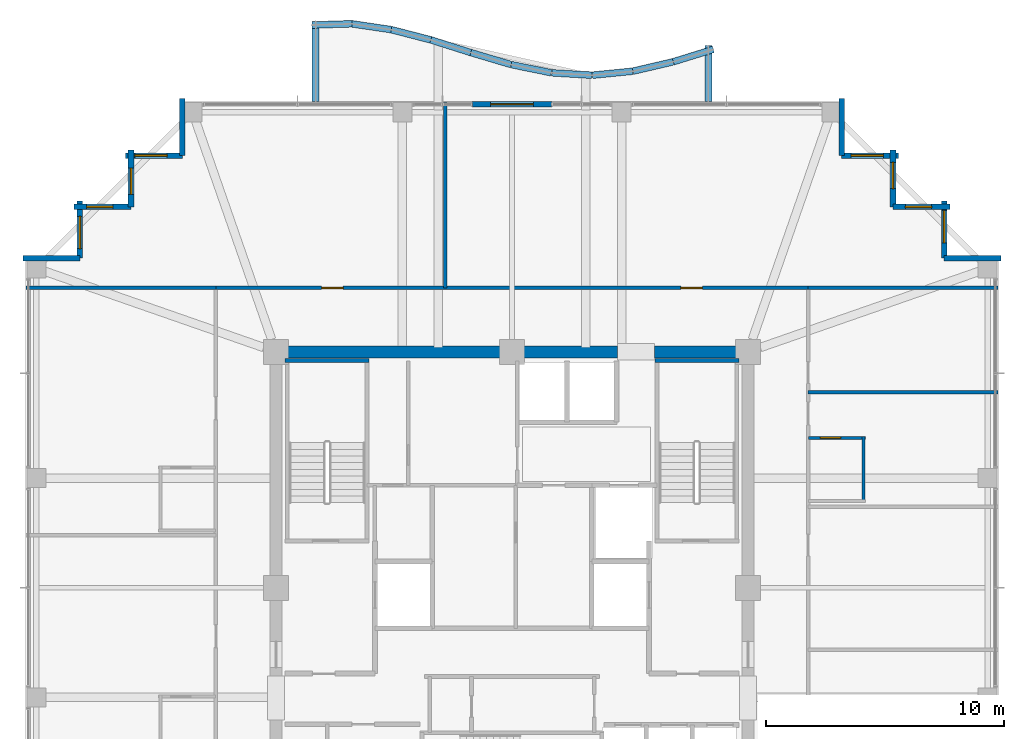
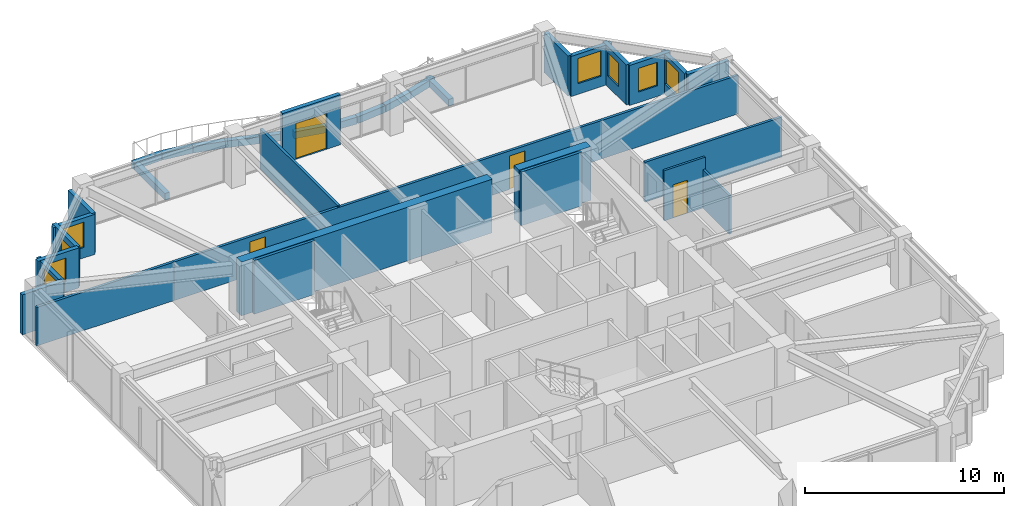
# One storey, part 33 of 36: 36 walls, 8 windows, 4 doors, 12 openings.
"""IFC4 building model written with IfcOpenShell, lengths in metres."""

from ifc_helpers import new_model, si_unit, direction, frame, frame_2d, origin, place, context, subcontext, project, spatial, rectangle, extrude, material, layer, layer_set, type_object, element, fill, save


model = new_model("IFC4")

# Units and contexts
model_context = context("Model", 3, precision=1e-05, world=origin(), true_north=direction((0.0, 1.0)))
body_context = subcontext(model_context, "Body", "Model", "MODEL_VIEW")
ifc_project = project(units=[si_unit("LENGTHUNIT", "METRE"), si_unit("AREAUNIT", "SQUARE_METRE"), si_unit("VOLUMEUNIT", "CUBIC_METRE"), si_unit("PLANEANGLEUNIT", "RADIAN"), si_unit("MASSUNIT", "GRAM", prefix="KILO")], contexts=[model_context])

# Site, building, storey
site_placement = place(None, origin())
site = spatial("IfcSite", under=ifc_project, at=site_placement, CompositionType="ELEMENT")
building_placement = place(site_placement, origin())
building = spatial("IfcBuilding", under=site, at=building_placement, Name="Kolvaren Belvedere", CompositionType="ELEMENT")
storey_placement = place(building_placement, frame((0.0, 0.0, 199.800048828125)))
storey = spatial("IfcBuildingStorey", under=building, at=storey_placement, Name="L58", CompositionType="ELEMENT", Elevation=199.800048828125)

# Walls
ifc_material_1 = material(Name="Concrete C50/60", Category="concrete")
ifc_layer_1 = layer(ifc_material_1, 0.5)
ifc_layer_set_1 = layer_set([ifc_layer_1], Name="Concrete C50/60")
wall_type_1 = type_object("IfcWallType", Name="CW-CORE-500", PredefinedType="SHEAR", material=ifc_layer_set_1)
wall_1_placement = place(storey_placement, frame((-10.14990234375, 9.89990234375, 0.0), z_axis=(0.0, 0.0, 1.0), x_axis=(1.0, 0.0, 0.0)))
element("IfcWall", 1, at=wall_1_placement, inside=storey, type_object=wall_type_1, Name="L58 North Core Shear Wall 1", PredefinedType="SHEAR", context=body_context, shape_type="SweptSolid", body=[
    extrude(rectangle(XDim=14.56982421875, YDim=0.5, at=frame_2d((7.284912109375, 0.0))), origin(), (0.0, 0.0, 1.0), 3.300048828125),
])
wall_2_placement = place(storey_placement, frame((5.97998046875, 9.89990234375, 0.0), z_axis=(0.0, 0.0, 1.0), x_axis=(1.0, 0.0, 0.0)))
element("IfcWall", 2, at=wall_2_placement, inside=storey, type_object=wall_type_1, Name="L58 North Core Shear Wall 2", PredefinedType="SHEAR", context=body_context, shape_type="SweptSolid", body=[
    extrude(rectangle(XDim=4.169921875, YDim=0.5, at=frame_2d((2.0849609375, 0.0))), origin(), (0.0, 0.0, 1.0), 3.300048828125),
])
ifc_material_2 = material(Name="Concrete C50/60", Category="concrete")
ifc_layer_2 = layer(ifc_material_2, 0.159912109375)
ifc_layer_set_2 = layer_set([ifc_layer_2], Name="Concrete C50/60")
wall_type_2 = type_object("IfcWallType", Name="CW-STAIR-160", PredefinedType="SHEAR", material=ifc_layer_set_2)
for number, where, z_axis, x_axis, name in (
    (3, (-9.52001953125, 9.530029296875, 0.0), (0.0, 0.0, 1.0), (1.0, 0.0, 0.0), "L58 Stair ST-1 North Shear Wall"),
    (4, (6.0, 9.530029296875, 0.0), (0.0, 0.0, 1.0), (1.0, 0.0, 0.0), "L58 Stair ST-2 North Shear Wall"),
):
    element("IfcWall", number, at=place(storey_placement, frame(where, z_axis=z_axis, x_axis=x_axis)), inside=storey, type_object=wall_type_2, Name=name, PredefinedType="SHEAR", context=body_context, shape_type="SweptSolid", body=[
        extrude(rectangle(XDim=3.52001953125, YDim=0.159912109375, at=frame_2d((1.760009765625, 0.0))), origin(), (0.0, 0.0, 1.0), 3.300048828125),
    ])

# Wall, openings, doors
ifc_material_3 = material(Name="Gypsum fire-rated partition assembly", Category="gypsum")
ifc_layer_3 = layer(ifc_material_3, 0.14990234375)
ifc_layer_set_3 = layer_set([ifc_layer_3], Name="Gypsum fire-rated partition assembly")
wall_type_3 = type_object("IfcWallType", Name="WL-CORR-150", PredefinedType="PARTITIONING", material=ifc_layer_set_3)
wall_3_placement = place(storey_placement, frame((-12.419921875, 12.580078125, 0.0), z_axis=(0.0, 0.0, 1.0), x_axis=(1.0, 0.0, 0.0)))
wall_3 = element("IfcWall", 5, at=wall_3_placement, inside=storey, type_object=wall_type_3, Name="L58 North Corridor Wall", PredefinedType="PARTITIONING", context=body_context, shape_type="SweptSolid", body=[
    extrude(rectangle(XDim=24.83984375, YDim=0.14990234375, at=frame_2d((12.419921875, 0.0))), origin(), (0.0, 0.0, 1.0), 2.368896484375),
])
opening_1_placement = place(wall_3_placement, frame((4.43505859375, 0.0, 0.0)))
opening_1 = element("IfcOpeningElement", 6, at=opening_1_placement, cuts=wall_3, Name="Opening D-INT90", PredefinedType="OPENING", context=body_context, shape_type="SweptSolid", body=[
    extrude(rectangle(XDim=0.89990234375, YDim=2.06005859375, at=frame_2d((0.449951171875, 1.030029296875))), frame((0.0, 0.0849609375, 0.0), z_axis=(0.0, -1.0, 0.0), x_axis=(1.0, 0.0, 0.0)), (0.0, 0.0, 1.0), 0.169921875),
])
opening_2_placement = place(wall_3_placement, frame((19.5048828125, 0.0, 0.0)))
opening_2 = element("IfcOpeningElement", 7, at=opening_2_placement, cuts=wall_3, Name="Opening D-INT90", PredefinedType="OPENING", context=body_context, shape_type="SweptSolid", body=[
    extrude(rectangle(XDim=0.89990234375, YDim=2.06005859375, at=frame_2d((0.449951171875, 1.030029296875))), frame((0.0, 0.0849609375, 0.0), z_axis=(0.0, -1.0, 0.0), x_axis=(1.0, 0.0, 0.0)), (0.0, 0.0, 1.0), 0.169921875),
])
ifc_material_4 = material(Name="Stained Pacific white oak", Category="timber")
door_type_1 = type_object("IfcDoorType", Name="DR-INT-900", OperationType="NOTDEFINED", PredefinedType="DOOR", material=ifc_material_4)
door_1_placement = place(opening_1_placement, origin())
door_1 = element("IfcDoor", 8, at=door_1_placement, inside=storey, type_object=door_type_1, Name="L58 Lounge 5811 Door", OperationType="SINGLE_SWING_RIGHT", OverallHeight=2.06005859375, OverallWidth=0.89990234375, PredefinedType="DOOR", context=body_context, shape_type="SweptSolid", body=[
    extrude(rectangle(XDim=0.89990234375, YDim=2.06005859375, at=frame_2d((0.449951171875, 1.030029296875))), frame((0.0, 0.02490234375, 0.0), z_axis=(0.0, -1.0, 0.0), x_axis=(1.0, 0.0, 0.0)), (0.0, 0.0, 1.0), 0.050048828125),
])
fill(opening_1, door_1)
door_2_placement = place(opening_2_placement, origin())
door_2 = element("IfcDoor", 9, at=door_2_placement, inside=storey, type_object=door_type_1, Name="L58 Lounge 5812 Door", OperationType="SINGLE_SWING_LEFT", OverallHeight=2.06005859375, OverallWidth=0.89990234375, PredefinedType="DOOR", context=body_context, shape_type="SweptSolid", body=[
    extrude(rectangle(XDim=0.89990234375, YDim=2.06005859375, at=frame_2d((0.449951171875, 1.030029296875))), frame((0.0, 0.02490234375, 0.0), z_axis=(0.0, -1.0, 0.0), x_axis=(1.0, 0.0, 0.0)), (0.0, 0.0, 1.0), 0.050048828125),
])
fill(opening_2, door_2)

# Wall
ifc_material_5 = material(Name="Insulated pale-metal facade wall assembly", Category="aluminium")
ifc_layer_4 = layer(ifc_material_5, 0.239990234375)
ifc_layer_set_4 = layer_set([ifc_layer_4], Name="Insulated pale-metal facade wall assembly")
wall_type_4 = type_object("IfcWallType", Name="WL-EXT-240", PredefinedType="STANDARD", material=ifc_layer_set_4)
wall_4_placement = place(storey_placement, frame((18.1298828125, 13.830078125, 0.0), z_axis=(0.0, 0.0, 1.0), x_axis=(1.0, 0.0, 0.0)))
element("IfcWall", 10, at=wall_4_placement, inside=storey, type_object=wall_type_4, Name="L58 Serrated Corner Facade Wall 9", PredefinedType="STANDARD", context=body_context, shape_type="SweptSolid", body=[
    extrude(rectangle(XDim=2.39013671875, YDim=0.239990234375, at=frame_2d((1.195068359375, 0.0))), origin(), (0.0, 0.0, 1.0), 2.462890625),
])

# Wall, opening, window
wall_5_placement = place(storey_placement, frame((18.1298828125, 16.219970703125, 0.0), z_axis=(0.0, 0.0, 1.0), x_axis=(0.0, -1.0, 0.0)))
wall_5 = element("IfcWall", 11, at=wall_5_placement, inside=storey, type_object=wall_type_4, Name="L58 Serrated Corner Facade Wall 10", PredefinedType="STANDARD", context=body_context, shape_type="SweptSolid", body=[
    extrude(rectangle(XDim=2.389892578125, YDim=0.239990234375, at=frame_2d((1.19482421875, 0.0))), origin(), (0.0, 0.0, 1.0), 2.462890625),
])
opening_3_placement = place(wall_5_placement, frame((0.39990234375, 0.0, 0.64990234375)))
opening_3 = element("IfcOpeningElement", 12, at=opening_3_placement, cuts=wall_5, Name="Opening W-1350", PredefinedType="OPENING", context=body_context, shape_type="SweptSolid", body=[
    extrude(rectangle(XDim=1.35009765625, YDim=1.550048828125, at=frame_2d((0.675048828125, 0.77490234375))), frame((0.0, 0.1298828125, 0.0), z_axis=(0.0, -1.0, 0.0), x_axis=(1.0, 0.0, 0.0)), (0.0, 0.0, 1.0), 0.260009765625),
])
ifc_material_6 = material(Name="Low-iron triple insulated glass", Category="glass")
window_type_1 = type_object("IfcWindowType", Name="WN-CORN-1350", PartitioningType="SINGLE_PANEL", PredefinedType="WINDOW", material=ifc_material_6)
window_1_placement = place(opening_3_placement, origin())
window_1 = element("IfcWindow", 13, at=window_1_placement, inside=storey, type_object=window_type_1, Name="L58 Serrated Corner Vision Window 10", OverallHeight=1.550048828125, OverallWidth=1.35009765625, PartitioningType="SINGLE_PANEL", PredefinedType="WINDOW", context=body_context, shape_type="SweptSolid", body=[
    extrude(rectangle(XDim=1.35009765625, YDim=1.550048828125, at=frame_2d((0.675048828125, 0.77490234375))), frame((0.0, 0.030029296875, 0.0), z_axis=(0.0, -1.0, 0.0), x_axis=(1.0, 0.0, 0.0)), (0.0, 0.0, 1.0), 0.06005859375),
])
fill(opening_3, window_1)

wall_6_placement = place(storey_placement, frame((15.97998046875, 15.97998046875, 0.0), z_axis=(0.0, 0.0, 1.0), x_axis=(1.0, 0.0, 0.0)))
wall_6 = element("IfcWall", 14, at=wall_6_placement, inside=storey, type_object=wall_type_4, Name="L58 Serrated Corner Facade Wall 11", PredefinedType="STANDARD", context=body_context, shape_type="SweptSolid", body=[
    extrude(rectangle(XDim=2.39013671875, YDim=0.239990234375, at=frame_2d((1.195068359375, 0.0))), origin(), (0.0, 0.0, 1.0), 2.462890625),
])
opening_4_placement = place(wall_6_placement, frame((0.52490234375, 0.0, 0.64990234375)))
opening_4 = element("IfcOpeningElement", 15, at=opening_4_placement, cuts=wall_6, Name="Opening W-1100", PredefinedType="OPENING", context=body_context, shape_type="SweptSolid", body=[
    extrude(rectangle(XDim=1.10009765625, YDim=1.449951171875, at=frame_2d((0.550048828125, 0.72509765625))), frame((0.0, 0.1298828125, 0.0), z_axis=(0.0, -1.0, 0.0), x_axis=(1.0, 0.0, 0.0)), (0.0, 0.0, 1.0), 0.260009765625),
])
ifc_material_7 = material(Name="Low-iron triple insulated glass", Category="glass")
window_type_2 = type_object("IfcWindowType", Name="WN-CORN-1100", PartitioningType="SINGLE_PANEL", PredefinedType="WINDOW", material=ifc_material_7)
window_2_placement = place(opening_4_placement, origin())
window_2 = element("IfcWindow", 16, at=window_2_placement, inside=storey, type_object=window_type_2, Name="L58 Serrated Corner Vision Window 11", OverallHeight=1.449951171875, OverallWidth=1.10009765625, PartitioningType="SINGLE_PANEL", PredefinedType="WINDOW", context=body_context, shape_type="SweptSolid", body=[
    extrude(rectangle(XDim=1.10009765625, YDim=1.449951171875, at=frame_2d((0.550048828125, 0.72509765625))), frame((0.0, 0.030029296875, 0.0), z_axis=(0.0, -1.0, 0.0), x_axis=(1.0, 0.0, 0.0)), (0.0, 0.0, 1.0), 0.06005859375),
])
fill(opening_4, window_2)

wall_7_placement = place(storey_placement, frame((15.97998046875, 18.3701171875, 0.0), z_axis=(0.0, 0.0, 1.0), x_axis=(0.0, -1.0, 0.0)))
wall_7 = element("IfcWall", 17, at=wall_7_placement, inside=storey, type_object=wall_type_4, Name="L58 Serrated Corner Facade Wall 12", PredefinedType="STANDARD", context=body_context, shape_type="SweptSolid", body=[
    extrude(rectangle(XDim=2.39013671875, YDim=0.239990234375, at=frame_2d((1.195068359375, 0.0))), origin(), (0.0, 0.0, 1.0), 2.462890625),
])
opening_5_placement = place(wall_7_placement, frame((0.52490234375, 0.0, 0.64990234375)))
opening_5 = element("IfcOpeningElement", 18, at=opening_5_placement, cuts=wall_7, Name="Opening W-1100", PredefinedType="OPENING", context=body_context, shape_type="SweptSolid", body=[
    extrude(rectangle(XDim=1.10009765625, YDim=1.449951171875, at=frame_2d((0.550048828125, 0.72509765625))), frame((0.0, 0.1298828125, 0.0), z_axis=(0.0, -1.0, 0.0), x_axis=(1.0, 0.0, 0.0)), (0.0, 0.0, 1.0), 0.260009765625),
])
window_3_placement = place(opening_5_placement, origin())
window_3 = element("IfcWindow", 19, at=window_3_placement, inside=storey, type_object=window_type_2, Name="L58 Serrated Corner Vision Window 12", OverallHeight=1.449951171875, OverallWidth=1.10009765625, PartitioningType="SINGLE_PANEL", PredefinedType="WINDOW", context=body_context, shape_type="SweptSolid", body=[
    extrude(rectangle(XDim=1.10009765625, YDim=1.449951171875, at=frame_2d((0.550048828125, 0.72509765625))), frame((0.0, 0.030029296875, 0.0), z_axis=(0.0, -1.0, 0.0), x_axis=(1.0, 0.0, 0.0)), (0.0, 0.0, 1.0), 0.06005859375),
])
fill(opening_5, window_3)

wall_8_placement = place(storey_placement, frame((13.830078125, 18.1298828125, 0.0), z_axis=(0.0, 0.0, 1.0), x_axis=(1.0, 0.0, 0.0)))
wall_8 = element("IfcWall", 20, at=wall_8_placement, inside=storey, type_object=wall_type_4, Name="L58 Serrated Corner Facade Wall 13", PredefinedType="STANDARD", context=body_context, shape_type="SweptSolid", body=[
    extrude(rectangle(XDim=2.389892578125, YDim=0.239990234375, at=frame_2d((1.19482421875, 0.0))), origin(), (0.0, 0.0, 1.0), 2.462890625),
])
opening_6_placement = place(wall_8_placement, frame((0.39990234375, 0.0, 0.64990234375)))
opening_6 = element("IfcOpeningElement", 21, at=opening_6_placement, cuts=wall_8, Name="Opening W-1350", PredefinedType="OPENING", context=body_context, shape_type="SweptSolid", body=[
    extrude(rectangle(XDim=1.35009765625, YDim=1.550048828125, at=frame_2d((0.675048828125, 0.77490234375))), frame((0.0, 0.1298828125, 0.0), z_axis=(0.0, -1.0, 0.0), x_axis=(1.0, 0.0, 0.0)), (0.0, 0.0, 1.0), 0.260009765625),
])
window_4_placement = place(opening_6_placement, origin())
window_4 = element("IfcWindow", 22, at=window_4_placement, inside=storey, type_object=window_type_1, Name="L58 Serrated Corner Vision Window 13", OverallHeight=1.550048828125, OverallWidth=1.35009765625, PartitioningType="SINGLE_PANEL", PredefinedType="WINDOW", context=body_context, shape_type="SweptSolid", body=[
    extrude(rectangle(XDim=1.35009765625, YDim=1.550048828125, at=frame_2d((0.675048828125, 0.77490234375))), frame((0.0, 0.030029296875, 0.0), z_axis=(0.0, -1.0, 0.0), x_axis=(1.0, 0.0, 0.0)), (0.0, 0.0, 1.0), 0.06005859375),
])
fill(opening_6, window_4)

# Wall
wall_9_placement = place(storey_placement, frame((13.830078125, 20.52001953125, 0.0), z_axis=(0.0, 0.0, 1.0), x_axis=(0.0, -1.0, 0.0)))
element("IfcWall", 23, at=wall_9_placement, inside=storey, type_object=wall_type_4, Name="L58 Serrated Corner Facade Wall 14", PredefinedType="STANDARD", context=body_context, shape_type="SweptSolid", body=[
    extrude(rectangle(XDim=2.39013671875, YDim=0.239990234375, at=frame_2d((1.195068359375, 0.0))), origin(), (0.0, 0.0, 1.0), 2.462890625),
])

# Wall, opening, door
wall_10_placement = place(storey_placement, frame((-1.679931640625, 20.280029296875, 0.0), z_axis=(0.0, 0.0, 1.0), x_axis=(1.0, 0.0, 0.0)))
wall_10 = element("IfcWall", 24, at=wall_10_placement, inside=storey, type_object=wall_type_4, Name="L58 North Terrace Portal Wall", PredefinedType="STANDARD", context=body_context, shape_type="SweptSolid", body=[
    extrude(rectangle(XDim=3.35986328125, YDim=0.239990234375, at=frame_2d((1.679931640625, 0.0))), origin(), (0.0, 0.0, 1.0), 3.079833984375),
])
opening_7_placement = place(wall_10_placement, frame((0.780029296875, 0.0, 0.0)))
opening_7 = element("IfcOpeningElement", 25, at=opening_7_placement, cuts=wall_10, Name="Opening DB-1800", PredefinedType="OPENING", context=body_context, shape_type="SweptSolid", body=[
    extrude(rectangle(XDim=1.800048828125, YDim=2.199951171875, at=frame_2d((0.89990234375, 1.10009765625))), frame((0.0, 0.1298828125, 0.0), z_axis=(0.0, -1.0, 0.0), x_axis=(1.0, 0.0, 0.0)), (0.0, 0.0, 1.0), 0.260009765625),
])
ifc_material_8 = material(Name="Thermally broken pale-metal aluminium & low-iron glass", Category="aluminium")
door_type_2 = type_object("IfcDoorType", Name="DR-BAL-1800", OperationType="DOUBLE_DOOR_SLIDING", PredefinedType="DOOR", material=ifc_material_8)
door_3_placement = place(opening_7_placement, origin())
door_3 = element("IfcDoor", 26, at=door_3_placement, inside=storey, type_object=door_type_2, Name="L58 North Planted Terrace Sliding Door", OperationType="DOUBLE_DOOR_SLIDING", OverallHeight=2.199951171875, OverallWidth=1.800048828125, PredefinedType="DOOR", context=body_context, shape_type="SweptSolid", body=[
    extrude(rectangle(XDim=1.800048828125, YDim=2.199951171875, at=frame_2d((0.89990234375, 1.10009765625))), frame((0.0, 0.02490234375, 0.0), z_axis=(0.0, -1.0, 0.0), x_axis=(1.0, 0.0, 0.0)), (0.0, 0.0, 1.0), 0.050048828125),
])
fill(opening_7, door_3)

# Wall
wall_11_placement = place(storey_placement, frame((-13.830078125, 18.1298828125, 0.0), z_axis=(0.0, 0.0, 1.0), x_axis=(0.0, 1.0, 0.0)))
element("IfcWall", 27, at=wall_11_placement, inside=storey, type_object=wall_type_4, Name="L58 Serrated Corner Facade Wall 16", PredefinedType="STANDARD", context=body_context, shape_type="SweptSolid", body=[
    extrude(rectangle(XDim=2.39013671875, YDim=0.239990234375, at=frame_2d((1.195068359375, 0.0))), origin(), (0.0, 0.0, 1.0), 2.462890625),
])

# Wall, opening, window
wall_12_placement = place(storey_placement, frame((-16.219970703125, 18.1298828125, 0.0), z_axis=(0.0, 0.0, 1.0), x_axis=(1.0, 0.0, 0.0)))
wall_12 = element("IfcWall", 28, at=wall_12_placement, inside=storey, type_object=wall_type_4, Name="L58 Serrated Corner Facade Wall 17", PredefinedType="STANDARD", context=body_context, shape_type="SweptSolid", body=[
    extrude(rectangle(XDim=2.389892578125, YDim=0.239990234375, at=frame_2d((1.19482421875, 0.0))), origin(), (0.0, 0.0, 1.0), 2.462890625),
])
opening_8_placement = place(wall_12_placement, frame((0.39990234375, 0.0, 0.64990234375)))
opening_8 = element("IfcOpeningElement", 29, at=opening_8_placement, cuts=wall_12, Name="Opening W-1350", PredefinedType="OPENING", context=body_context, shape_type="SweptSolid", body=[
    extrude(rectangle(XDim=1.35009765625, YDim=1.550048828125, at=frame_2d((0.675048828125, 0.77490234375))), frame((0.0, 0.1298828125, 0.0), z_axis=(0.0, -1.0, 0.0), x_axis=(1.0, 0.0, 0.0)), (0.0, 0.0, 1.0), 0.260009765625),
])
window_5_placement = place(opening_8_placement, origin())
window_5 = element("IfcWindow", 30, at=window_5_placement, inside=storey, type_object=window_type_1, Name="L58 Serrated Corner Vision Window 17", OverallHeight=1.550048828125, OverallWidth=1.35009765625, PartitioningType="SINGLE_PANEL", PredefinedType="WINDOW", context=body_context, shape_type="SweptSolid", body=[
    extrude(rectangle(XDim=1.35009765625, YDim=1.550048828125, at=frame_2d((0.675048828125, 0.77490234375))), frame((0.0, 0.030029296875, 0.0), z_axis=(0.0, -1.0, 0.0), x_axis=(1.0, 0.0, 0.0)), (0.0, 0.0, 1.0), 0.06005859375),
])
fill(opening_8, window_5)

wall_13_placement = place(storey_placement, frame((-15.97998046875, 15.97998046875, 0.0), z_axis=(0.0, 0.0, 1.0), x_axis=(0.0, 1.0, 0.0)))
wall_13 = element("IfcWall", 31, at=wall_13_placement, inside=storey, type_object=wall_type_4, Name="L58 Serrated Corner Facade Wall 18", PredefinedType="STANDARD", context=body_context, shape_type="SweptSolid", body=[
    extrude(rectangle(XDim=2.39013671875, YDim=0.239990234375, at=frame_2d((1.195068359375, 0.0))), origin(), (0.0, 0.0, 1.0), 2.462890625),
])
opening_9_placement = place(wall_13_placement, frame((0.52490234375, 0.0, 0.64990234375)))
opening_9 = element("IfcOpeningElement", 32, at=opening_9_placement, cuts=wall_13, Name="Opening W-1100", PredefinedType="OPENING", context=body_context, shape_type="SweptSolid", body=[
    extrude(rectangle(XDim=1.10009765625, YDim=1.449951171875, at=frame_2d((0.550048828125, 0.72509765625))), frame((0.0, 0.1298828125, 0.0), z_axis=(0.0, -1.0, 0.0), x_axis=(1.0, 0.0, 0.0)), (0.0, 0.0, 1.0), 0.260009765625),
])
window_6_placement = place(opening_9_placement, origin())
window_6 = element("IfcWindow", 33, at=window_6_placement, inside=storey, type_object=window_type_2, Name="L58 Serrated Corner Vision Window 18", OverallHeight=1.449951171875, OverallWidth=1.10009765625, PartitioningType="SINGLE_PANEL", PredefinedType="WINDOW", context=body_context, shape_type="SweptSolid", body=[
    extrude(rectangle(XDim=1.10009765625, YDim=1.449951171875, at=frame_2d((0.550048828125, 0.72509765625))), frame((0.0, 0.030029296875, 0.0), z_axis=(0.0, -1.0, 0.0), x_axis=(1.0, 0.0, 0.0)), (0.0, 0.0, 1.0), 0.06005859375),
])
fill(opening_9, window_6)

wall_14_placement = place(storey_placement, frame((-18.3701171875, 15.97998046875, 0.0), z_axis=(0.0, 0.0, 1.0), x_axis=(1.0, 0.0, 0.0)))
wall_14 = element("IfcWall", 34, at=wall_14_placement, inside=storey, type_object=wall_type_4, Name="L58 Serrated Corner Facade Wall 19", PredefinedType="STANDARD", context=body_context, shape_type="SweptSolid", body=[
    extrude(rectangle(XDim=2.39013671875, YDim=0.239990234375, at=frame_2d((1.195068359375, 0.0))), origin(), (0.0, 0.0, 1.0), 2.462890625),
])
opening_10_placement = place(wall_14_placement, frame((0.52490234375, 0.0, 0.64990234375)))
opening_10 = element("IfcOpeningElement", 35, at=opening_10_placement, cuts=wall_14, Name="Opening W-1100", PredefinedType="OPENING", context=body_context, shape_type="SweptSolid", body=[
    extrude(rectangle(XDim=1.10009765625, YDim=1.449951171875, at=frame_2d((0.550048828125, 0.72509765625))), frame((0.0, 0.1298828125, 0.0), z_axis=(0.0, -1.0, 0.0), x_axis=(1.0, 0.0, 0.0)), (0.0, 0.0, 1.0), 0.260009765625),
])
window_7_placement = place(opening_10_placement, origin())
window_7 = element("IfcWindow", 36, at=window_7_placement, inside=storey, type_object=window_type_2, Name="L58 Serrated Corner Vision Window 19", OverallHeight=1.449951171875, OverallWidth=1.10009765625, PartitioningType="SINGLE_PANEL", PredefinedType="WINDOW", context=body_context, shape_type="SweptSolid", body=[
    extrude(rectangle(XDim=1.10009765625, YDim=1.449951171875, at=frame_2d((0.550048828125, 0.72509765625))), frame((0.0, 0.030029296875, 0.0), z_axis=(0.0, -1.0, 0.0), x_axis=(1.0, 0.0, 0.0)), (0.0, 0.0, 1.0), 0.06005859375),
])
fill(opening_10, window_7)

wall_15_placement = place(storey_placement, frame((-18.1298828125, 13.830078125, 0.0), z_axis=(0.0, 0.0, 1.0), x_axis=(0.0, 1.0, 0.0)))
wall_15 = element("IfcWall", 37, at=wall_15_placement, inside=storey, type_object=wall_type_4, Name="L58 Serrated Corner Facade Wall 20", PredefinedType="STANDARD", context=body_context, shape_type="SweptSolid", body=[
    extrude(rectangle(XDim=2.389892578125, YDim=0.239990234375, at=frame_2d((1.19482421875, 0.0))), origin(), (0.0, 0.0, 1.0), 2.462890625),
])
opening_11_placement = place(wall_15_placement, frame((0.39990234375, 0.0, 0.64990234375)))
opening_11 = element("IfcOpeningElement", 38, at=opening_11_placement, cuts=wall_15, Name="Opening W-1350", PredefinedType="OPENING", context=body_context, shape_type="SweptSolid", body=[
    extrude(rectangle(XDim=1.35009765625, YDim=1.550048828125, at=frame_2d((0.675048828125, 0.77490234375))), frame((0.0, 0.1298828125, 0.0), z_axis=(0.0, -1.0, 0.0), x_axis=(1.0, 0.0, 0.0)), (0.0, 0.0, 1.0), 0.260009765625),
])
window_8_placement = place(opening_11_placement, origin())
window_8 = element("IfcWindow", 39, at=window_8_placement, inside=storey, type_object=window_type_1, Name="L58 Serrated Corner Vision Window 20", OverallHeight=1.550048828125, OverallWidth=1.35009765625, PartitioningType="SINGLE_PANEL", PredefinedType="WINDOW", context=body_context, shape_type="SweptSolid", body=[
    extrude(rectangle(XDim=1.35009765625, YDim=1.550048828125, at=frame_2d((0.675048828125, 0.77490234375))), frame((0.0, 0.030029296875, 0.0), z_axis=(0.0, -1.0, 0.0), x_axis=(1.0, 0.0, 0.0)), (0.0, 0.0, 1.0), 0.06005859375),
])
fill(opening_11, window_8)

# Walls
wall_16_placement = place(storey_placement, frame((-20.52001953125, 13.830078125, 0.0), z_axis=(0.0, 0.0, 1.0), x_axis=(1.0, 0.0, 0.0)))
element("IfcWall", 40, at=wall_16_placement, inside=storey, type_object=wall_type_4, Name="L58 Serrated Corner Facade Wall 21", PredefinedType="STANDARD", context=body_context, shape_type="SweptSolid", body=[
    extrude(rectangle(XDim=2.39013671875, YDim=0.239990234375, at=frame_2d((1.195068359375, 0.0))), origin(), (0.0, 0.0, 1.0), 2.462890625),
])
ifc_material_9 = material(Name="Gypsum acoustic partition assembly", Category="gypsum")
ifc_layer_5 = layer(ifc_material_9, 0.14990234375)
ifc_layer_set_5 = layer_set([ifc_layer_5], Name="Gypsum acoustic partition assembly")
wall_type_5 = type_object("IfcWallType", Name="WL-PART-150", PredefinedType="PARTITIONING", material=ifc_layer_set_5)
for number, where, z_axis, x_axis, name in (
    (41, (-20.3798828125, 12.580078125, 0.0), (0.0, 0.0, 1.0), (1.0, 0.0, 0.0), "L58 Wing Divider PW-L58-QNW"),
    (42, (12.419921875, 12.580078125, 0.0), (0.0, 0.0, 1.0), (1.0, 0.0, 0.0), "L58 Wing Divider PW-L58-QNE"),
):
    element("IfcWall", number, at=place(storey_placement, frame(where, z_axis=z_axis, x_axis=x_axis)), inside=storey, type_object=wall_type_5, Name=name, PredefinedType="PARTITIONING", context=body_context, shape_type="SweptSolid", body=[
        extrude(rectangle(XDim=7.9599609375, YDim=0.14990234375, at=frame_2d((3.97998046875, 0.0))), origin(), (0.0, 0.0, 1.0), 2.368896484375),
    ])
wall_17_placement = place(storey_placement, frame((12.419921875, 8.199951171875, 0.0), z_axis=(0.0, 0.0, 1.0), x_axis=(1.0, 0.0, 0.0)))
element("IfcWall", 43, at=wall_17_placement, inside=storey, type_object=wall_type_5, Name="L58 East Suite Demising Wall 4", PredefinedType="PARTITIONING", context=body_context, shape_type="SweptSolid", body=[
    extrude(rectangle(XDim=7.9599609375, YDim=0.14990234375, at=frame_2d((3.97998046875, 0.0))), origin(), (0.0, 0.0, 1.0), 2.452880859375),
])
wall_18_placement = place(storey_placement, frame((-2.800048828125, 12.580078125, 0.0), z_axis=(0.0, 0.0, 1.0), x_axis=(0.0, 1.0, 0.0)))
element("IfcWall", 44, at=wall_18_placement, inside=storey, type_object=wall_type_5, Name="L58 North Suite Demising Wall 1", PredefinedType="PARTITIONING", context=body_context, shape_type="SweptSolid", body=[
    extrude(rectangle(XDim=7.7998046875, YDim=0.14990234375, at=frame_2d((3.89990234375, 0.0))), origin(), (0.0, 0.0, 1.0), 2.452880859375),
])
ifc_material_10 = material(Name="Precast concrete C40/50", Category="concrete")
ifc_layer_6 = layer(ifc_material_10, 0.300048828125)
ifc_layer_set_6 = layer_set([ifc_layer_6], Name="Precast concrete C40/50")
wall_type_6 = type_object("IfcWallType", Name="WL-PLANTER-300", PredefinedType="PARAPET", material=ifc_layer_set_6)
wall_19_placement = place(storey_placement, frame((8.239990234375, 20.39990234375, -0.0400390625), z_axis=(0.0, 0.0, 1.0), x_axis=(0.0, 1.0, 0.0)))
element("IfcWall", 45, at=wall_19_placement, inside=storey, type_object=wall_type_6, Name="L58 Precast Structural Planter Wall BAL-N-11", PredefinedType="PARAPET", context=body_context, shape_type="SweptSolid", body=[
    extrude(rectangle(XDim=2.340087890625, YDim=0.280029296875, at=frame_2d((1.169921875, 0.0))), origin(), (0.0, 0.0, 1.0), 0.419921875),
])
wall_20_placement = place(storey_placement, frame((8.447265625, 22.587158203125, -0.0400390625), z_axis=(0.0, 0.0, 1.0), x_axis=(-0.95524013163, -0.295831524561, 0.0)))
element("IfcWall", 46, at=wall_20_placement, inside=storey, type_object=wall_type_6, Name="L58 Precast Structural Planter Wall BAL-N-12", PredefinedType="PARAPET", context=body_context, shape_type="SweptSolid", body=[
    extrude(rectangle(XDim=1.758544921875, YDim=0.280029296875, at=frame_2d((0.87939453125, 0.0))), origin(), (0.0, 0.0, 1.0), 0.419921875),
])
wall_21_placement = place(storey_placement, frame((6.75634765625, 22.06396484375, -0.0400390625), z_axis=(0.0, 0.0, 1.0), x_axis=(-0.973890253884, -0.227019323824, 0.0)))
element("IfcWall", 47, at=wall_21_placement, inside=storey, type_object=wall_type_6, Name="L58 Precast Structural Planter Wall BAL-N-13", PredefinedType="PARAPET", context=body_context, shape_type="SweptSolid", body=[
    extrude(rectangle(XDim=1.724853515625, YDim=0.280029296875, at=frame_2d((0.8623046875, 0.0))), origin(), (0.0, 0.0, 1.0), 0.419921875),
])
wall_22_placement = place(storey_placement, frame((5.0556640625, 21.6689453125, -0.0400390625), z_axis=(0.0, 0.0, 1.0), x_axis=(-0.995152499202, -0.098343801694, 0.0)))
element("IfcWall", 48, at=wall_22_placement, inside=storey, type_object=wall_type_6, Name="L58 Precast Structural Planter Wall BAL-N-14", PredefinedType="PARAPET", context=body_context, shape_type="SweptSolid", body=[
    extrude(rectangle(XDim=1.688232421875, YDim=0.280029296875, at=frame_2d((0.84423828125, 0.0))), origin(), (0.0, 0.0, 1.0), 0.419921875),
])
wall_23_placement = place(storey_placement, frame((3.350341796875, 21.50244140625, -0.0400390625), z_axis=(0.0, 0.0, 1.0), x_axis=(-0.998212296378, 0.059767979379, 0.0)))
element("IfcWall", 49, at=wall_23_placement, inside=storey, type_object=wall_type_6, Name="L58 Precast Structural Planter Wall BAL-N-15", PredefinedType="PARAPET", context=body_context, shape_type="SweptSolid", body=[
    extrude(rectangle(XDim=1.682861328125, YDim=0.280029296875, at=frame_2d((0.84130859375, 0.0))), origin(), (0.0, 0.0, 1.0), 0.419921875),
])
wall_24_placement = place(storey_placement, frame((1.64794921875, 21.60595703125, -0.0400390625), z_axis=(0.0, 0.0, 1.0), x_axis=(-0.979839912937, 0.199784246163, 0.0)))
element("IfcWall", 50, at=wall_24_placement, inside=storey, type_object=wall_type_6, Name="L58 Precast Structural Planter Wall BAL-N-16", PredefinedType="PARAPET", context=body_context, shape_type="SweptSolid", body=[
    extrude(rectangle(XDim=1.714599609375, YDim=0.280029296875, at=frame_2d((0.857421875, 0.0))), origin(), (0.0, 0.0, 1.0), 0.419921875),
])
wall_25_placement = place(storey_placement, frame((-0.045654296875, 21.951904296875, -0.0400390625), z_axis=(0.0, 0.0, 1.0), x_axis=(-0.95856309129, 0.284880325779, 0.0)))
element("IfcWall", 51, at=wall_25_placement, inside=storey, type_object=wall_type_6, Name="L58 Precast Structural Planter Wall BAL-N-17", PredefinedType="PARAPET", context=body_context, shape_type="SweptSolid", body=[
    extrude(rectangle(XDim=1.75244140625, YDim=0.280029296875, at=frame_2d((0.876220703125, 0.0))), origin(), (0.0, 0.0, 1.0), 0.419921875),
])
wall_26_placement = place(storey_placement, frame((-1.728515625, 22.4521484375, -0.0400390625), z_axis=(0.0, 0.0, 1.0), x_axis=(-0.953181954832, 0.302397356111, 0.0)))
element("IfcWall", 52, at=wall_26_placement, inside=storey, type_object=wall_type_6, Name="L58 Precast Structural Planter Wall BAL-N-18", PredefinedType="PARAPET", context=body_context, shape_type="SweptSolid", body=[
    extrude(rectangle(XDim=1.762451171875, YDim=0.280029296875, at=frame_2d((0.88134765625, 0.0))), origin(), (0.0, 0.0, 1.0), 0.419921875),
])
wall_27_placement = place(storey_placement, frame((-3.400146484375, 22.982666015625, -0.0400390625), z_axis=(0.0, 0.0, 1.0), x_axis=(-0.968132209145, 0.250439664624, 0.0)))
element("IfcWall", 53, at=wall_27_placement, inside=storey, type_object=wall_type_6, Name="L58 Precast Structural Planter Wall BAL-N-19", PredefinedType="PARAPET", context=body_context, shape_type="SweptSolid", body=[
    extrude(rectangle(XDim=1.7353515625, YDim=0.280029296875, at=frame_2d((0.86767578125, 0.0))), origin(), (0.0, 0.0, 1.0), 0.419921875),
])
wall_28_placement = place(storey_placement, frame((-5.063232421875, 23.413818359375, -0.0400390625), z_axis=(0.0, 0.0, 1.0), x_axis=(-0.98929818871, 0.145907826437, 0.0)))
element("IfcWall", 54, at=wall_28_placement, inside=storey, type_object=wall_type_6, Name="L58 Precast Structural Planter Wall BAL-N-20", PredefinedType="PARAPET", context=body_context, shape_type="SweptSolid", body=[
    extrude(rectangle(XDim=1.6982421875, YDim=0.280029296875, at=frame_2d((0.84912109375, 0.0))), origin(), (0.0, 0.0, 1.0), 0.419921875),
])
wall_29_placement = place(storey_placement, frame((-6.715087890625, 23.66015625, -0.0400390625), z_axis=(0.0, 0.0, 1.0), x_axis=(-0.999503107358, -0.031520443874, 0.0)))
element("IfcWall", 55, at=wall_29_placement, inside=storey, type_object=wall_type_6, Name="L58 Precast Structural Planter Wall BAL-N-21", PredefinedType="PARAPET", context=body_context, shape_type="SweptSolid", body=[
    extrude(rectangle(XDim=1.6806640625, YDim=0.280029296875, at=frame_2d((0.84033203125, 0.0))), origin(), (0.0, 0.0, 1.0), 0.419921875),
])
wall_30_placement = place(storey_placement, frame((-8.239990234375, 23.76708984375, -0.0400390625), z_axis=(0.0, 0.0, 1.0), x_axis=(0.0, -1.0, 0.0)))
element("IfcWall", 56, at=wall_30_placement, inside=storey, type_object=wall_type_6, Name="L58 Precast Structural Planter Wall BAL-N-22", PredefinedType="PARAPET", context=body_context, shape_type="SweptSolid", body=[
    extrude(rectangle(XDim=3.3671875, YDim=0.280029296875, at=frame_2d((1.68359375, 0.0))), origin(), (0.0, 0.0, 1.0), 0.419921875),
])

# Wall, opening, door
ifc_material_11 = material(Name="Moisture-resistant gypsum partition", Category="gypsum")
ifc_layer_7 = layer(ifc_material_11, 0.125)
ifc_layer_set_7 = layer_set([ifc_layer_7], Name="Moisture-resistant gypsum partition")
wall_type_7 = type_object("IfcWallType", Name="WL-WET-125", PredefinedType="PARTITIONING", material=ifc_layer_set_7)
wall_31_placement = place(storey_placement, frame((12.43505859375, 6.2939453125, 0.0), z_axis=(0.0, 0.0, 1.0), x_axis=(1.0, 0.0, 0.0)))
wall_31 = element("IfcWall", 57, at=wall_31_placement, inside=storey, type_object=wall_type_7, Name="L58 Bathroom Partition PW-L58-BTH-6-N", PredefinedType="PARTITIONING", context=body_context, shape_type="SweptSolid", body=[
    extrude(rectangle(XDim=2.389892578125, YDim=0.125, at=frame_2d((1.19482421875, 0.0))), origin(), (0.0, 0.0, 1.0), 3.079833984375),
])
opening_12_placement = place(wall_31_placement, frame((0.5, 0.0, 0.0)))
opening_12 = element("IfcOpeningElement", 58, at=opening_12_placement, cuts=wall_31, Name="Opening D-BTH85", PredefinedType="OPENING", context=body_context, shape_type="SweptSolid", body=[
    extrude(rectangle(XDim=0.85009765625, YDim=2.030029296875, at=frame_2d((0.425048828125, 1.01513671875))), frame((0.0, 0.072509765625, 0.0), z_axis=(0.0, -1.0, 0.0), x_axis=(1.0, 0.0, 0.0)), (0.0, 0.0, 1.0), 0.14501953125),
])
ifc_material_12 = material(Name="Moisture-sealed Pacific white oak", Category="timber")
door_type_3 = type_object("IfcDoorType", Name="DR-BATH-850", OperationType="NOTDEFINED", PredefinedType="DOOR", material=ifc_material_12)
door_4_placement = place(opening_12_placement, origin())
door_4 = element("IfcDoor", 59, at=door_4_placement, inside=storey, type_object=door_type_3, Name="L58 En-Suite Bathroom 5806 Door", OperationType="SINGLE_SWING_LEFT", OverallHeight=2.030029296875, OverallWidth=0.85009765625, PredefinedType="DOOR", context=body_context, shape_type="SweptSolid", body=[
    extrude(rectangle(XDim=0.85009765625, YDim=2.030029296875, at=frame_2d((0.425048828125, 1.01513671875))), frame((0.0, 0.02490234375, 0.0), z_axis=(0.0, -1.0, 0.0), x_axis=(1.0, 0.0, 0.0)), (0.0, 0.0, 1.0), 0.050048828125),
])
fill(opening_12, door_4)

# Wall
wall_32_placement = place(storey_placement, frame((14.7451171875, 3.583984375, 0.0), z_axis=(0.0, 0.0, 1.0), x_axis=(0.0, 1.0, 0.0)))
element("IfcWall", 60, at=wall_32_placement, inside=storey, type_object=wall_type_7, Name="L58 Bathroom Partition PW-L58-BTH-6-V", PredefinedType="PARTITIONING", context=body_context, shape_type="SweptSolid", body=[
    extrude(rectangle(XDim=2.77001953125, YDim=0.125, at=frame_2d((1.385009765625, 0.0))), origin(), (0.0, 0.0, 1.0), 2.368896484375),
])

save(model, "model.ifc")
